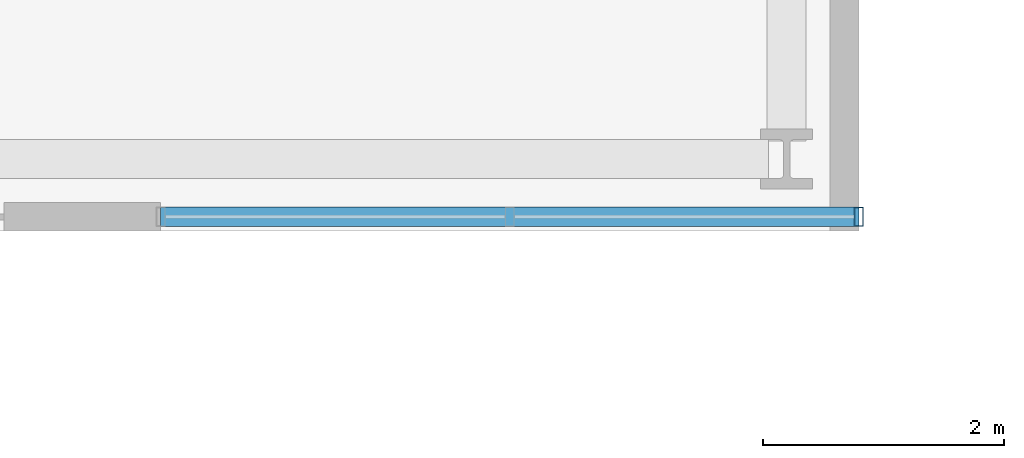
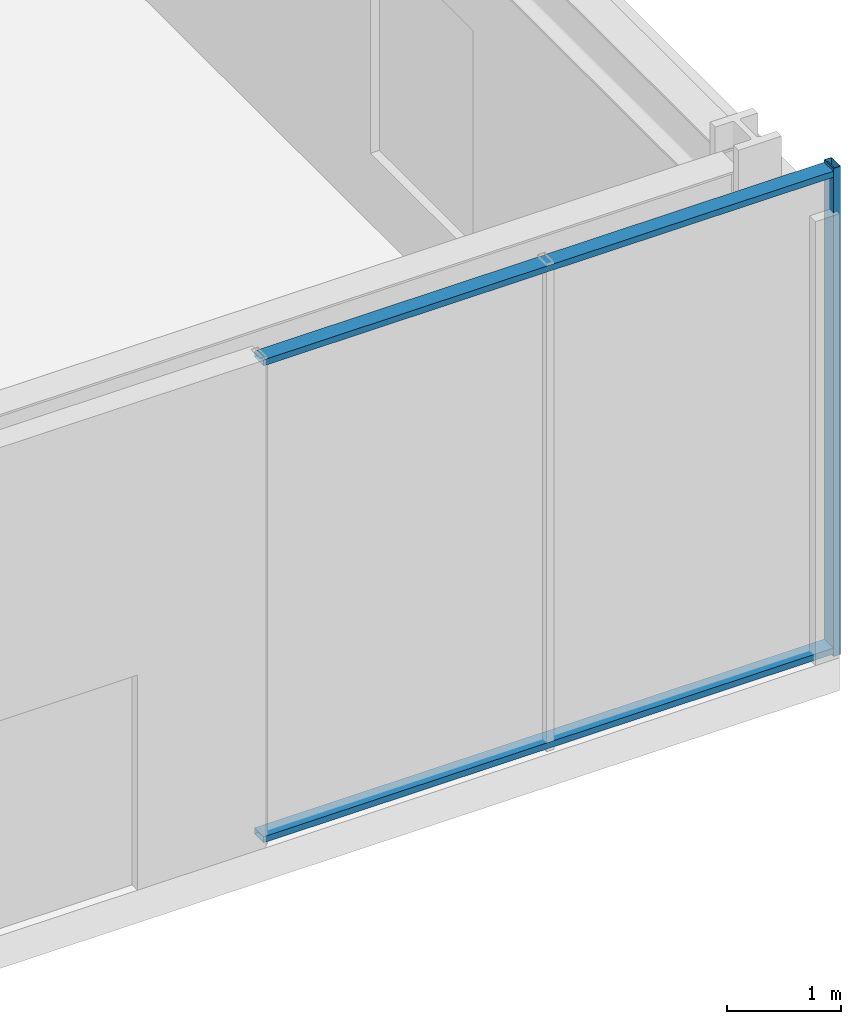
# One storey, part 14 of 24: 3 members, 1 element without a shape of its own.
"""IFC4 building model written with IfcOpenShell, lengths in metres."""

from ifc_helpers import new_model, si_unit, direction, frame, origin, origin_2d, place, context, subcontext, project, spatial, hollow_rectangle, extrude, material, material_profile, profile_set, type_object, element, aggregate, save


model = new_model("IFC4")

# Units and contexts
model_context = context("Model", 3, precision=1e-05, world=origin(), true_north=direction((0.0, 1.0)))
body_context = subcontext(model_context, "Body", "Model", "MODEL_VIEW")
ifc_project = project(units=[si_unit("LENGTHUNIT", "METRE"), si_unit("AREAUNIT", "SQUARE_METRE"), si_unit("VOLUMEUNIT", "CUBIC_METRE"), si_unit("PLANEANGLEUNIT", "RADIAN"), si_unit("MASSUNIT", "GRAM", prefix="KILO")], contexts=[model_context])

# Site, building, storey
site_placement = place(None, origin())
site = spatial("IfcSite", under=ifc_project, at=site_placement, CompositionType="ELEMENT")
building_placement = place(site_placement, origin())
building = spatial("IfcBuilding", under=site, at=building_placement, Name="Kolvaren Belvedere", CompositionType="ELEMENT")
storey_placement = place(building_placement, origin())
storey = spatial("IfcBuildingStorey", under=building, at=storey_placement, Name="L01", CompositionType="ELEMENT", Elevation=0.0)

# Curtain wall, members
ifc_material_1 = material(Name="Anodised pale-metal aluminium AA 6063-T6", Category="aluminium")
curtain_wall_type = type_object("IfcCurtainWallType", Name="CW-POD-A", PredefinedType="NOTDEFINED", material=ifc_material_1)
curtain_wall_placement = place(storey_placement, origin())
curtain_wall = element("IfcCurtainWall", 1, at=curtain_wall_placement, inside=storey, type_object=curtain_wall_type, Name="L01 Unitised Curtain Wall FCW-L01-SE1", PredefinedType="NOTDEFINED")
ifc_material_2 = material(Name="Anodised pale-metal aluminium AA 6063-T6", Category="aluminium")
ifc_material_profile_1 = material_profile(ifc_material_2, hollow_rectangle(XDim=0.074951171875, YDim=0.159912109375, WallThickness=0.00439453125, at=origin_2d()), Name="ALU-MUL-160X75")
ifc_profile_set_1 = profile_set([ifc_material_profile_1], Name="Anodised pale-metal aluminium AA 6063-T6")
member_type_1 = type_object("IfcMemberType", Name="CW-MUL-160", PredefinedType="MULLION", material=ifc_profile_set_1)
member_1_placement = place(storey_placement, frame((28.0, -28.280029296875, 0.0), z_axis=(0.0, 0.0, 1.0), x_axis=(1.0, 0.0, 0.0)))
member_1 = element("IfcMember", 2, at=member_1_placement, type_object=member_type_1, Name="FCW-L01-SE1 Unitised Mullion 1", PredefinedType="MULLION", context=body_context, shape_type="SweptSolid", body=[
    extrude(hollow_rectangle(XDim=0.074951171875, YDim=0.159912109375, WallThickness=0.00439453125, at=origin_2d()), origin(), (0.0, 0.0, 1.0), 5.219970703125),
])
ifc_material_3 = material(Name="Anodised pale-metal aluminium AA 6063-T6", Category="aluminium")
ifc_material_profile_2 = material_profile(ifc_material_3, hollow_rectangle(XDim=0.06494140625, YDim=0.159912109375, WallThickness=0.00390625, at=origin_2d()), Name="ALU-TRN-160X65")
ifc_profile_set_2 = profile_set([ifc_material_profile_2], Name="Anodised pale-metal aluminium AA 6063-T6")
member_type_2 = type_object("IfcMemberType", Name="CW-TRN-160", PredefinedType="USERDEFINED", material=ifc_profile_set_2)
member_2_placement = place(storey_placement, frame((28.0, -28.280029296875, 0.06005859375), z_axis=(-1.0, 0.0, 0.0), x_axis=(0.0, 0.0, 1.0)))
member_2 = element("IfcMember", 3, at=member_2_placement, type_object=member_type_2, Name="FCW-L01-SE1 Sill Transom", ObjectType="TRANSOM", PredefinedType="USERDEFINED", context=body_context, shape_type="SweptSolid", body=[
    extrude(hollow_rectangle(XDim=0.06494140625, YDim=0.159912109375, WallThickness=0.00390625, at=origin_2d()), origin(), (0.0, 0.0, 1.0), 5.800048828125),
])
member_3_placement = place(storey_placement, frame((28.0, -28.280029296875, 5.159912109375), z_axis=(-1.0, 0.0, 0.0), x_axis=(0.0, 0.0, 1.0)))
member_3 = element("IfcMember", 4, at=member_3_placement, type_object=member_type_2, Name="FCW-L01-SE1 Head Transom", ObjectType="TRANSOM", PredefinedType="USERDEFINED", context=body_context, shape_type="SweptSolid", body=[
    extrude(hollow_rectangle(XDim=0.06494140625, YDim=0.159912109375, WallThickness=0.00390625, at=origin_2d()), origin(), (0.0, 0.0, 1.0), 5.800048828125),
])
aggregate(curtain_wall, [member_1, member_2, member_3])

save(model, "model.ifc")
